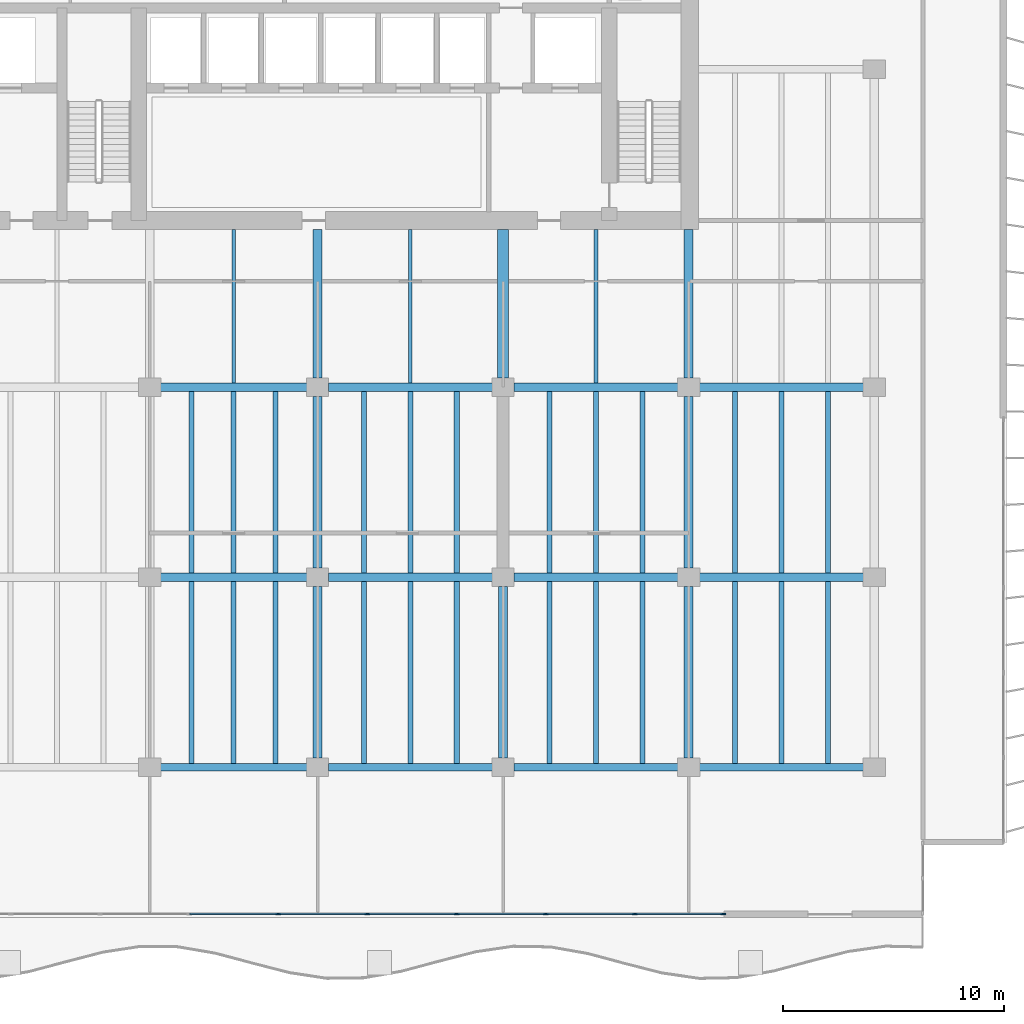
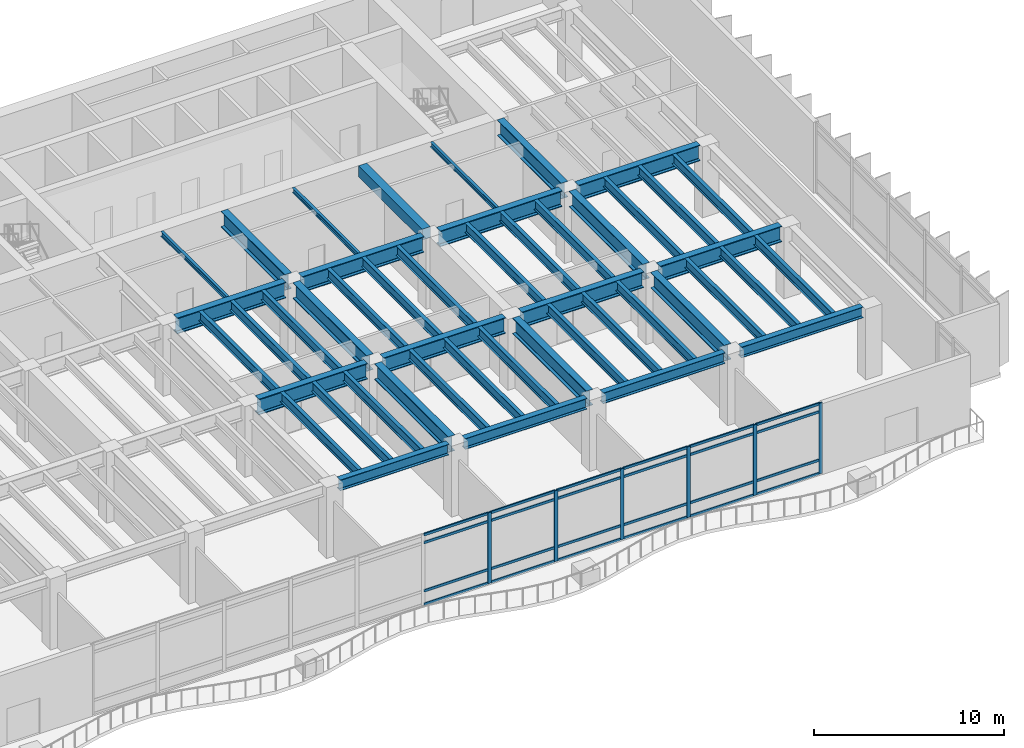
# One storey, part 4 of 16: 47 beams, 30 members, 1 element without a shape of its own.
"""IFC4 building model written with IfcOpenShell, lengths in metres."""

from ifc_helpers import new_model, si_unit, direction, frame, origin, origin_2d, place, context, subcontext, project, spatial, rectangle, i_section, extrude, material, layer, layer_set, material_profile, profile_set, type_object, element, aggregate, save


model = new_model("IFC4")

# Units and contexts
model_context = context("Model", 3, precision=1e-05, world=origin(), true_north=direction((0.0, 1.0)))
body_context = subcontext(model_context, "Body", "Model", "MODEL_VIEW")
ifc_project = project(units=[si_unit("LENGTHUNIT", "METRE"), si_unit("AREAUNIT", "SQUARE_METRE"), si_unit("VOLUMEUNIT", "CUBIC_METRE"), si_unit("PLANEANGLEUNIT", "RADIAN"), si_unit("MASSUNIT", "GRAM", prefix="KILO")], contexts=[model_context])

# Site, building, storey
site_placement = place(None, origin())
site = spatial("IfcSite", under=ifc_project, at=site_placement, CompositionType="ELEMENT")
building_placement = place(site_placement, origin())
building = spatial("IfcBuilding", under=site, at=building_placement, Name="Caelmar Bay Residences", CompositionType="ELEMENT")
storey_placement = place(building_placement, frame((0.0, 0.0, 97.800048828125)))
storey = spatial("IfcBuildingStorey", under=building, at=storey_placement, Name="L26", CompositionType="ELEMENT", Elevation=97.800048828125)

# Beams
ifc_material_1 = material(Name="Steel ASTM A992 Grade 50", Category="steel")
ifc_material_profile_1 = material_profile(ifc_material_1, i_section(OverallWidth=0.404052734375, OverallDepth=1.02099609375, WebThickness=0.025390625, FlangeThickness=0.0458984375, FilletRadius=0.02294921875, at=origin_2d()), Name="W40X324")
ifc_profile_set_1 = profile_set([ifc_material_profile_1], Name="Steel ASTM A992 Grade 50")
beam_type_1 = type_object("IfcBeamType", Name="BM-GRD-W40X324", PredefinedType="BEAM", material=ifc_profile_set_1)
beam_1_placement = place(storey_placement, frame((35.590087890625, 20.800048828125, 4.03955078125), z_axis=(1.0, 0.0, 0.0), x_axis=(0.0, 1.0, 0.0)))
element("IfcBeam", 1, at=beam_1_placement, inside=storey, type_object=beam_type_1, Name="L26 East-West Girder Y=20.80 (35.1-42.7)", PredefinedType="BEAM", context=body_context, shape_type="SweptSolid", body=[
    extrude(i_section(OverallWidth=0.404052734375, OverallDepth=1.02099609375, WebThickness=0.025390625, FlangeThickness=0.0458984375, FilletRadius=0.02294921875, at=origin_2d()), origin(), (0.0, 0.0, 1.0), 6.619873046875),
])
beam_2_placement = place(storey_placement, frame((43.18994140625, 20.800048828125, 4.03955078125), z_axis=(1.0, 0.0, 0.0), x_axis=(0.0, 1.0, 0.0)))
element("IfcBeam", 2, at=beam_2_placement, inside=storey, type_object=beam_type_1, Name="L26 East-West Girder Y=20.80 (42.7-51.1)", PredefinedType="BEAM", context=body_context, shape_type="SweptSolid", body=[
    extrude(i_section(OverallWidth=0.404052734375, OverallDepth=1.02099609375, WebThickness=0.025390625, FlangeThickness=0.0458984375, FilletRadius=0.02294921875, at=origin_2d()), origin(), (0.0, 0.0, 1.0), 7.420166015625),
])
for number, where, z_axis, x_axis, name in (
    (3, (51.590087890625, 20.800048828125, 4.03955078125), (1.0, 0.0, 0.0), (0.0, 1.0, 0.0), "L26 East-West Girder Y=20.80 (51.1-59.5)"),
    (4, (59.989990234375, 20.800048828125, 4.03955078125), (1.0, 0.0, 0.0), (0.0, 1.0, 0.0), "L26 East-West Girder Y=20.80 (59.5-67.9)"),
):
    element("IfcBeam", number, at=place(storey_placement, frame(where, z_axis=z_axis, x_axis=x_axis)), inside=storey, type_object=beam_type_1, Name=name, PredefinedType="BEAM", context=body_context, shape_type="SweptSolid", body=[
        extrude(i_section(OverallWidth=0.404052734375, OverallDepth=1.02099609375, WebThickness=0.025390625, FlangeThickness=0.0458984375, FilletRadius=0.02294921875, at=origin_2d()), origin(), (0.0, 0.0, 1.0), 7.419921875),
    ])
beam_3_placement = place(storey_placement, frame((35.590087890625, 29.39990234375, 4.03955078125), z_axis=(1.0, 0.0, 0.0), x_axis=(0.0, 1.0, 0.0)))
element("IfcBeam", 5, at=beam_3_placement, inside=storey, type_object=beam_type_1, Name="L26 East-West Girder Y=29.40 (35.1-42.7)", PredefinedType="BEAM", context=body_context, shape_type="SweptSolid", body=[
    extrude(i_section(OverallWidth=0.404052734375, OverallDepth=1.02099609375, WebThickness=0.025390625, FlangeThickness=0.0458984375, FilletRadius=0.02294921875, at=origin_2d()), origin(), (0.0, 0.0, 1.0), 6.619873046875),
])
beam_4_placement = place(storey_placement, frame((43.18994140625, 29.39990234375, 4.03955078125), z_axis=(1.0, 0.0, 0.0), x_axis=(0.0, 1.0, 0.0)))
element("IfcBeam", 6, at=beam_4_placement, inside=storey, type_object=beam_type_1, Name="L26 East-West Girder Y=29.40 (42.7-51.1)", PredefinedType="BEAM", context=body_context, shape_type="SweptSolid", body=[
    extrude(i_section(OverallWidth=0.404052734375, OverallDepth=1.02099609375, WebThickness=0.025390625, FlangeThickness=0.0458984375, FilletRadius=0.02294921875, at=origin_2d()), origin(), (0.0, 0.0, 1.0), 7.420166015625),
])
for number, where, z_axis, x_axis, name in (
    (7, (51.590087890625, 29.39990234375, 4.03955078125), (1.0, 0.0, 0.0), (0.0, 1.0, 0.0), "L26 East-West Girder Y=29.40 (51.1-59.5)"),
    (8, (59.989990234375, 29.39990234375, 4.03955078125), (1.0, 0.0, 0.0), (0.0, 1.0, 0.0), "L26 East-West Girder Y=29.40 (59.5-67.9)"),
):
    element("IfcBeam", number, at=place(storey_placement, frame(where, z_axis=z_axis, x_axis=x_axis)), inside=storey, type_object=beam_type_1, Name=name, PredefinedType="BEAM", context=body_context, shape_type="SweptSolid", body=[
        extrude(i_section(OverallWidth=0.404052734375, OverallDepth=1.02099609375, WebThickness=0.025390625, FlangeThickness=0.0458984375, FilletRadius=0.02294921875, at=origin_2d()), origin(), (0.0, 0.0, 1.0), 7.419921875),
    ])
beam_5_placement = place(storey_placement, frame((42.699951171875, 29.81494140625, 4.03955078125), z_axis=(0.0, 1.0, 0.0), x_axis=(-1.0, 0.0, 0.0)))
element("IfcBeam", 9, at=beam_5_placement, inside=storey, type_object=beam_type_1, Name="L26 Core Tie Girder X=42.70", PredefinedType="BEAM", context=body_context, shape_type="SweptSolid", body=[
    extrude(i_section(OverallWidth=0.404052734375, OverallDepth=1.02099609375, WebThickness=0.025390625, FlangeThickness=0.0458984375, FilletRadius=0.02294921875, at=origin_2d()), origin(), (0.0, 0.0, 1.0), 6.735107421875),
])
for number, where, z_axis, x_axis, name in (
    (10, (42.699951171875, 12.614990234375, 4.03955078125), (0.0, 1.0, 0.0), (-1.0, 0.0, 0.0), "L26 North-South Girder X=42.70 (12.2-20.8)"),
    (11, (42.699951171875, 21.215087890625, 4.03955078125), (0.0, 1.0, 0.0), (-1.0, 0.0, 0.0), "L26 North-South Girder X=42.70 (20.8-29.4)"),
    (12, (51.10009765625, 12.614990234375, 4.03955078125), (0.0, 1.0, 0.0), (-1.0, 0.0, 0.0), "L26 North-South Girder X=51.10 (12.2-20.8)"),
):
    element("IfcBeam", number, at=place(storey_placement, frame(where, z_axis=z_axis, x_axis=x_axis)), inside=storey, type_object=beam_type_1, Name=name, PredefinedType="BEAM", context=body_context, shape_type="SweptSolid", body=[
        extrude(i_section(OverallWidth=0.404052734375, OverallDepth=1.02099609375, WebThickness=0.025390625, FlangeThickness=0.0458984375, FilletRadius=0.02294921875, at=origin_2d()), origin(), (0.0, 0.0, 1.0), 7.77001953125),
    ])
beam_6_placement = place(storey_placement, frame((59.5, 29.81494140625, 4.03955078125), z_axis=(0.0, 1.0, 0.0), x_axis=(-1.0, 0.0, 0.0)))
element("IfcBeam", 13, at=beam_6_placement, inside=storey, type_object=beam_type_1, Name="L26 Core Tie Girder X=59.50", PredefinedType="BEAM", context=body_context, shape_type="SweptSolid", body=[
    extrude(i_section(OverallWidth=0.404052734375, OverallDepth=1.02099609375, WebThickness=0.025390625, FlangeThickness=0.0458984375, FilletRadius=0.02294921875, at=origin_2d()), origin(), (0.0, 0.0, 1.0), 6.735107421875),
])
for number, where, z_axis, x_axis, name in (
    (14, (59.5, 12.614990234375, 4.03955078125), (0.0, 1.0, 0.0), (-1.0, 0.0, 0.0), "L26 North-South Girder X=59.50 (12.2-20.8)"),
    (15, (59.5, 21.215087890625, 4.03955078125), (0.0, 1.0, 0.0), (-1.0, 0.0, 0.0), "L26 North-South Girder X=59.50 (20.8-29.4)"),
):
    element("IfcBeam", number, at=place(storey_placement, frame(where, z_axis=z_axis, x_axis=x_axis)), inside=storey, type_object=beam_type_1, Name=name, PredefinedType="BEAM", context=body_context, shape_type="SweptSolid", body=[
        extrude(i_section(OverallWidth=0.404052734375, OverallDepth=1.02099609375, WebThickness=0.025390625, FlangeThickness=0.0458984375, FilletRadius=0.02294921875, at=origin_2d()), origin(), (0.0, 0.0, 1.0), 7.77001953125),
    ])
ifc_material_profile_2 = material_profile(ifc_material_1, i_section(OverallWidth=0.1650390625, OverallDepth=0.31005859375, WebThickness=0.005859375, FlangeThickness=0.009765625, FilletRadius=0.007568359375, at=origin_2d()), Name="W12X26")
ifc_profile_set_2 = profile_set([ifc_material_profile_2], Name="Steel ASTM A992 Grade 50")
beam_type_2 = type_object("IfcBeamType", Name="BM-JST-W12X26", PredefinedType="JOIST", material=ifc_profile_set_2)
for number, where, z_axis, x_axis, name in (
    (16, (38.89990234375, 29.60205078125, 4.39501953125), (0.0, 1.0, 0.0), (-1.0, 0.0, 0.0), "L26 Core-Band Composite Joist 45"),
    (17, (46.89990234375, 29.60205078125, 4.39501953125), (0.0, 1.0, 0.0), (-1.0, 0.0, 0.0), "L26 Core-Band Composite Joist 46"),
    (18, (55.300048828125, 29.60205078125, 4.39501953125), (0.0, 1.0, 0.0), (-1.0, 0.0, 0.0), "L26 Core-Band Composite Joist 47"),
):
    element("IfcBeam", number, at=place(storey_placement, frame(where, z_axis=z_axis, x_axis=x_axis)), inside=storey, type_object=beam_type_2, Name=name, PredefinedType="JOIST", context=body_context, shape_type="SweptSolid", body=[
        extrude(i_section(OverallWidth=0.1650390625, OverallDepth=0.31005859375, WebThickness=0.005859375, FlangeThickness=0.009765625, FilletRadius=0.007568359375, at=origin_2d()), origin(), (0.0, 0.0, 1.0), 6.947998046875),
    ])
ifc_material_profile_3 = material_profile(ifc_material_1, i_section(OverallWidth=0.22900390625, OverallDepth=0.612060546875, WebThickness=0.011962890625, FlangeThickness=0.01953125, FilletRadius=0.0126953125, at=origin_2d()), Name="W24X84")
ifc_profile_set_3 = profile_set([ifc_material_profile_3], Name="Steel ASTM A992 Grade 50")
beam_type_3 = type_object("IfcBeamType", Name="BM-JST-W24X84", PredefinedType="JOIST", material=ifc_profile_set_3)
for number, where, z_axis, x_axis, name in (
    (19, (37.0, 12.3779296875, 4.243896484375), (0.0, 1.0, 0.0), (-1.0, 0.0, 0.0), "L26 Composite Floor Joist 10"),
    (20, (38.89990234375, 12.3779296875, 4.243896484375), (0.0, 1.0, 0.0), (-1.0, 0.0, 0.0), "L26 Composite Floor Joist 11"),
    (21, (40.800048828125, 12.3779296875, 4.243896484375), (0.0, 1.0, 0.0), (-1.0, 0.0, 0.0), "L26 Composite Floor Joist 12"),
    (22, (44.800048828125, 12.3779296875, 4.243896484375), (0.0, 1.0, 0.0), (-1.0, 0.0, 0.0), "L26 Composite Floor Joist 13"),
    (23, (46.89990234375, 12.3779296875, 4.243896484375), (0.0, 1.0, 0.0), (-1.0, 0.0, 0.0), "L26 Composite Floor Joist 14"),
    (24, (49.0, 12.3779296875, 4.243896484375), (0.0, 1.0, 0.0), (-1.0, 0.0, 0.0), "L26 Composite Floor Joist 15"),
    (25, (53.199951171875, 12.3779296875, 4.243896484375), (0.0, 1.0, 0.0), (-1.0, 0.0, 0.0), "L26 Composite Floor Joist 16"),
    (26, (55.300048828125, 12.3779296875, 4.243896484375), (0.0, 1.0, 0.0), (-1.0, 0.0, 0.0), "L26 Composite Floor Joist 17"),
    (27, (57.39990234375, 12.3779296875, 4.243896484375), (0.0, 1.0, 0.0), (-1.0, 0.0, 0.0), "L26 Composite Floor Joist 18"),
    (28, (61.60009765625, 12.3779296875, 4.243896484375), (0.0, 1.0, 0.0), (-1.0, 0.0, 0.0), "L26 Composite Floor Joist 19"),
    (29, (63.699951171875, 12.3779296875, 4.243896484375), (0.0, 1.0, 0.0), (-1.0, 0.0, 0.0), "L26 Composite Floor Joist 20"),
    (30, (65.800048828125, 12.3779296875, 4.243896484375), (0.0, 1.0, 0.0), (-1.0, 0.0, 0.0), "L26 Composite Floor Joist 21"),
):
    element("IfcBeam", number, at=place(storey_placement, frame(where, z_axis=z_axis, x_axis=x_axis)), inside=storey, type_object=beam_type_3, Name=name, PredefinedType="JOIST", context=body_context, shape_type="SweptSolid", body=[
        extrude(i_section(OverallWidth=0.22900390625, OverallDepth=0.612060546875, WebThickness=0.011962890625, FlangeThickness=0.01953125, FilletRadius=0.0126953125, at=origin_2d()), origin(), (0.0, 0.0, 1.0), 8.219970703125),
    ])
for number, where, z_axis, x_axis, name in (
    (31, (37.0, 21.001953125, 4.243896484375), (0.0, 1.0, 0.0), (-1.0, 0.0, 0.0), "L26 Composite Floor Joist 31"),
    (32, (38.89990234375, 21.001953125, 4.243896484375), (0.0, 1.0, 0.0), (-1.0, 0.0, 0.0), "L26 Composite Floor Joist 32"),
    (33, (40.800048828125, 21.001953125, 4.243896484375), (0.0, 1.0, 0.0), (-1.0, 0.0, 0.0), "L26 Composite Floor Joist 33"),
    (34, (44.800048828125, 21.001953125, 4.243896484375), (0.0, 1.0, 0.0), (-1.0, 0.0, 0.0), "L26 Composite Floor Joist 34"),
    (35, (46.89990234375, 21.001953125, 4.243896484375), (0.0, 1.0, 0.0), (-1.0, 0.0, 0.0), "L26 Composite Floor Joist 35"),
    (36, (49.0, 21.001953125, 4.243896484375), (0.0, 1.0, 0.0), (-1.0, 0.0, 0.0), "L26 Composite Floor Joist 36"),
    (37, (53.199951171875, 21.001953125, 4.243896484375), (0.0, 1.0, 0.0), (-1.0, 0.0, 0.0), "L26 Composite Floor Joist 37"),
    (38, (55.300048828125, 21.001953125, 4.243896484375), (0.0, 1.0, 0.0), (-1.0, 0.0, 0.0), "L26 Composite Floor Joist 38"),
    (39, (57.39990234375, 21.001953125, 4.243896484375), (0.0, 1.0, 0.0), (-1.0, 0.0, 0.0), "L26 Composite Floor Joist 39"),
    (40, (61.60009765625, 21.001953125, 4.243896484375), (0.0, 1.0, 0.0), (-1.0, 0.0, 0.0), "L26 Composite Floor Joist 40"),
    (41, (63.699951171875, 21.001953125, 4.243896484375), (0.0, 1.0, 0.0), (-1.0, 0.0, 0.0), "L26 Composite Floor Joist 41"),
    (42, (65.800048828125, 21.001953125, 4.243896484375), (0.0, 1.0, 0.0), (-1.0, 0.0, 0.0), "L26 Composite Floor Joist 42"),
):
    element("IfcBeam", number, at=place(storey_placement, frame(where, z_axis=z_axis, x_axis=x_axis)), inside=storey, type_object=beam_type_3, Name=name, PredefinedType="JOIST", context=body_context, shape_type="SweptSolid", body=[
        extrude(i_section(OverallWidth=0.22900390625, OverallDepth=0.612060546875, WebThickness=0.011962890625, FlangeThickness=0.01953125, FilletRadius=0.0126953125, at=origin_2d()), origin(), (0.0, 0.0, 1.0), 8.196044921875),
    ])
ifc_material_2 = material(Name="Concrete f'c 55 MPa (8,000 psi)", Category="concrete")
ifc_material_profile_4 = material_profile(ifc_material_2, rectangle(XDim=0.5, YDim=0.699951171875, at=origin_2d()), Name="RC-BM-500X700")
ifc_profile_set_4 = profile_set([ifc_material_profile_4], Name="Concrete f'c 55 MPa (8,000 psi)")
beam_type_4 = type_object("IfcBeamType", Name="BM-RC-500X700", PredefinedType="LINTEL", material=ifc_profile_set_4)
beam_7_placement = place(storey_placement, frame((51.10009765625, 29.81494140625, 4.199951171875), z_axis=(0.0, 1.0, 0.0), x_axis=(-1.0, 0.0, 0.0)))
element("IfcBeam", 43, at=beam_7_placement, inside=storey, type_object=beam_type_4, Name="L26 Shear-Wall Corridor Coupling Lintel E8", PredefinedType="LINTEL", context=body_context, shape_type="SweptSolid", body=[
    extrude(rectangle(XDim=0.5, YDim=0.699951171875, at=origin_2d()), origin(), (0.0, 0.0, 1.0), 6.735107421875),
])
ifc_material_profile_5 = material_profile(ifc_material_1, i_section(OverallWidth=0.35595703125, OverallDepth=0.696044921875, WebThickness=0.015380859375, FlangeThickness=0.02490234375, FilletRadius=0.01513671875, at=origin_2d()), Name="W27X146")
ifc_profile_set_5 = profile_set([ifc_material_profile_5], Name="Steel ASTM A992 Grade 50")
beam_type_5 = type_object("IfcBeamType", Name="BM-SPN-W27X146", PredefinedType="SPANDREL", material=ifc_profile_set_5)
beam_8_placement = place(storey_placement, frame((35.590087890625, 12.199951171875, 4.201904296875), z_axis=(1.0, 0.0, 0.0), x_axis=(0.0, 1.0, 0.0)))
element("IfcBeam", 44, at=beam_8_placement, inside=storey, type_object=beam_type_5, Name="L26 East-West Girder Y=12.20 (35.1-42.7)", PredefinedType="SPANDREL", context=body_context, shape_type="SweptSolid", body=[
    extrude(i_section(OverallWidth=0.35595703125, OverallDepth=0.696044921875, WebThickness=0.015380859375, FlangeThickness=0.02490234375, FilletRadius=0.01513671875, at=origin_2d()), origin(), (0.0, 0.0, 1.0), 6.619873046875),
])
beam_9_placement = place(storey_placement, frame((43.18994140625, 12.199951171875, 4.201904296875), z_axis=(1.0, 0.0, 0.0), x_axis=(0.0, 1.0, 0.0)))
element("IfcBeam", 45, at=beam_9_placement, inside=storey, type_object=beam_type_5, Name="L26 East-West Girder Y=12.20 (42.7-51.1)", PredefinedType="SPANDREL", context=body_context, shape_type="SweptSolid", body=[
    extrude(i_section(OverallWidth=0.35595703125, OverallDepth=0.696044921875, WebThickness=0.015380859375, FlangeThickness=0.02490234375, FilletRadius=0.01513671875, at=origin_2d()), origin(), (0.0, 0.0, 1.0), 7.420166015625),
])
for number, where, z_axis, x_axis, name in (
    (46, (51.590087890625, 12.199951171875, 4.201904296875), (1.0, 0.0, 0.0), (0.0, 1.0, 0.0), "L26 East-West Girder Y=12.20 (51.1-59.5)"),
    (47, (59.989990234375, 12.199951171875, 4.201904296875), (1.0, 0.0, 0.0), (0.0, 1.0, 0.0), "L26 East-West Girder Y=12.20 (59.5-67.9)"),
):
    element("IfcBeam", number, at=place(storey_placement, frame(where, z_axis=z_axis, x_axis=x_axis)), inside=storey, type_object=beam_type_5, Name=name, PredefinedType="SPANDREL", context=body_context, shape_type="SweptSolid", body=[
        extrude(i_section(OverallWidth=0.35595703125, OverallDepth=0.696044921875, WebThickness=0.015380859375, FlangeThickness=0.02490234375, FilletRadius=0.01513671875, at=origin_2d()), origin(), (0.0, 0.0, 1.0), 7.419921875),
    ])

# Curtain wall, members
ifc_material_3 = material(Name="Anodised bronze aluminium 6063-T6 and laminated glass", Category="aluminium")
ifc_layer = layer(ifc_material_3, 0.179931640625)
ifc_layer_set = layer_set([ifc_layer], Name="Anodised bronze aluminium 6063-T6 and laminated glass")
curtain_wall_type = type_object("IfcCurtainWallType", Name="CW7-CRN", PredefinedType="NOTDEFINED", material=ifc_layer_set)
curtain_wall_placement = place(storey_placement, origin())
curtain_wall = element("IfcCurtainWall", 48, at=curtain_wall_placement, inside=storey, type_object=curtain_wall_type, Name="CW7 curtain wall L26", PredefinedType="NOTDEFINED")
ifc_material_4 = material(Name="Anodised bronze aluminium 6063-T6", Category="aluminium")
ifc_material_profile_6 = material_profile(ifc_material_4, rectangle(XDim=0.080078125, YDim=0.219970703125, at=origin_2d()), Name="CWM-80X220")
ifc_profile_set_6 = profile_set([ifc_material_profile_6], Name="Anodised bronze aluminium 6063-T6")
member_type_1 = type_object("IfcMemberType", Name="CWM-220", PredefinedType="MULLION", material=ifc_profile_set_6)
member_1_placement = place(storey_placement, frame((61.06005859375, 5.550048828125, 0.0), z_axis=(0.0, 0.0, 1.0), x_axis=(0.0, -1.0, 0.0)))
member_1 = element("IfcMember", 49, at=member_1_placement, type_object=member_type_1, Name="CW7 mullion 1", PredefinedType="MULLION", context=body_context, shape_type="SweptSolid", body=[
    extrude(rectangle(XDim=0.080078125, YDim=0.219970703125, at=origin_2d()), origin(), (0.0, 0.0, 1.0), 4.550048828125),
])
member_2_placement = place(storey_placement, frame((57.063720703125, 5.550048828125, 0.0), z_axis=(0.0, 0.0, 1.0), x_axis=(0.0, -1.0, 0.0)))
member_2 = element("IfcMember", 50, at=member_2_placement, type_object=member_type_1, Name="CW7 mullion 2", PredefinedType="MULLION", context=body_context, shape_type="SweptSolid", body=[
    extrude(rectangle(XDim=0.080078125, YDim=0.219970703125, at=origin_2d()), origin(), (0.0, 0.0, 1.0), 4.550048828125),
])
member_3_placement = place(storey_placement, frame((53.02734375, 5.550048828125, 0.0), z_axis=(0.0, 0.0, 1.0), x_axis=(0.0, -1.0, 0.0)))
member_3 = element("IfcMember", 51, at=member_3_placement, type_object=member_type_1, Name="CW7 mullion 3", PredefinedType="MULLION", context=body_context, shape_type="SweptSolid", body=[
    extrude(rectangle(XDim=0.080078125, YDim=0.219970703125, at=origin_2d()), origin(), (0.0, 0.0, 1.0), 4.550048828125),
])
member_4_placement = place(storey_placement, frame((48.990966796875, 5.550048828125, 0.0), z_axis=(0.0, 0.0, 1.0), x_axis=(0.0, -1.0, 0.0)))
member_4 = element("IfcMember", 52, at=member_4_placement, type_object=member_type_1, Name="CW7 mullion 4", PredefinedType="MULLION", context=body_context, shape_type="SweptSolid", body=[
    extrude(rectangle(XDim=0.080078125, YDim=0.219970703125, at=origin_2d()), origin(), (0.0, 0.0, 1.0), 4.550048828125),
])
member_5_placement = place(storey_placement, frame((44.95458984375, 5.550048828125, 0.0), z_axis=(0.0, 0.0, 1.0), x_axis=(0.0, -1.0, 0.0)))
member_5 = element("IfcMember", 53, at=member_5_placement, type_object=member_type_1, Name="CW7 mullion 5", PredefinedType="MULLION", context=body_context, shape_type="SweptSolid", body=[
    extrude(rectangle(XDim=0.080078125, YDim=0.219970703125, at=origin_2d()), origin(), (0.0, 0.0, 1.0), 4.550048828125),
])
member_6_placement = place(storey_placement, frame((40.918212890625, 5.550048828125, 0.0), z_axis=(0.0, 0.0, 1.0), x_axis=(0.0, -1.0, 0.0)))
member_6 = element("IfcMember", 54, at=member_6_placement, type_object=member_type_1, Name="CW7 mullion 6", PredefinedType="MULLION", context=body_context, shape_type="SweptSolid", body=[
    extrude(rectangle(XDim=0.080078125, YDim=0.219970703125, at=origin_2d()), origin(), (0.0, 0.0, 1.0), 4.550048828125),
])
ifc_material_profile_7 = material_profile(ifc_material_4, rectangle(XDim=0.080078125, YDim=0.159912109375, at=origin_2d()), Name="CWT-80X160")
ifc_profile_set_7 = profile_set([ifc_material_profile_7], Name="Anodised bronze aluminium 6063-T6")
member_type_2 = type_object("IfcMemberType", Name="CWT-160", PredefinedType="NOTDEFINED", material=ifc_profile_set_7)
member_7_placement = place(storey_placement, frame((61.02001953125, 5.550048828125, 0.0400390625), z_axis=(-1.0, 0.0, 0.0), x_axis=(0.0, -1.0, 0.0)))
member_7 = element("IfcMember", 55, at=member_7_placement, type_object=member_type_2, Name="CW7 transom 1.1", ObjectType="TRANSOM", PredefinedType="USERDEFINED", context=body_context, shape_type="SweptSolid", body=[
    extrude(rectangle(XDim=0.080078125, YDim=0.159912109375, at=origin_2d()), origin(), (0.0, 0.0, 1.0), 3.91650390625),
])
member_8_placement = place(storey_placement, frame((61.02001953125, 5.550048828125, 0.89990234375), z_axis=(-1.0, 0.0, 0.0), x_axis=(0.0, -1.0, 0.0)))
member_8 = element("IfcMember", 56, at=member_8_placement, type_object=member_type_2, Name="CW7 transom 1.2", ObjectType="TRANSOM", PredefinedType="USERDEFINED", context=body_context, shape_type="SweptSolid", body=[
    extrude(rectangle(XDim=0.080078125, YDim=0.159912109375, at=origin_2d()), origin(), (0.0, 0.0, 1.0), 3.91650390625),
])
member_9_placement = place(storey_placement, frame((61.02001953125, 5.550048828125, 4.0), z_axis=(-1.0, 0.0, 0.0), x_axis=(0.0, -1.0, 0.0)))
member_9 = element("IfcMember", 57, at=member_9_placement, type_object=member_type_2, Name="CW7 transom 1.3", ObjectType="TRANSOM", PredefinedType="USERDEFINED", context=body_context, shape_type="SweptSolid", body=[
    extrude(rectangle(XDim=0.080078125, YDim=0.159912109375, at=origin_2d()), origin(), (0.0, 0.0, 1.0), 3.91650390625),
])
member_10_placement = place(storey_placement, frame((61.02001953125, 5.550048828125, 4.510009765625), z_axis=(-1.0, 0.0, 0.0), x_axis=(0.0, -1.0, 0.0)))
member_10 = element("IfcMember", 58, at=member_10_placement, type_object=member_type_2, Name="CW7 transom 1.4", ObjectType="TRANSOM", PredefinedType="USERDEFINED", context=body_context, shape_type="SweptSolid", body=[
    extrude(rectangle(XDim=0.080078125, YDim=0.159912109375, at=origin_2d()), origin(), (0.0, 0.0, 1.0), 3.91650390625),
])
member_11_placement = place(storey_placement, frame((57.023681640625, 5.550048828125, 0.0400390625), z_axis=(-1.0, 0.0, 0.0), x_axis=(0.0, -1.0, 0.0)))
member_11 = element("IfcMember", 59, at=member_11_placement, type_object=member_type_2, Name="CW7 transom 2.1", ObjectType="TRANSOM", PredefinedType="USERDEFINED", context=body_context, shape_type="SweptSolid", body=[
    extrude(rectangle(XDim=0.080078125, YDim=0.159912109375, at=origin_2d()), origin(), (0.0, 0.0, 1.0), 3.956298828125),
])
member_12_placement = place(storey_placement, frame((57.023681640625, 5.550048828125, 0.89990234375), z_axis=(-1.0, 0.0, 0.0), x_axis=(0.0, -1.0, 0.0)))
member_12 = element("IfcMember", 60, at=member_12_placement, type_object=member_type_2, Name="CW7 transom 2.2", ObjectType="TRANSOM", PredefinedType="USERDEFINED", context=body_context, shape_type="SweptSolid", body=[
    extrude(rectangle(XDim=0.080078125, YDim=0.159912109375, at=origin_2d()), origin(), (0.0, 0.0, 1.0), 3.956298828125),
])
member_13_placement = place(storey_placement, frame((57.023681640625, 5.550048828125, 4.0), z_axis=(-1.0, 0.0, 0.0), x_axis=(0.0, -1.0, 0.0)))
member_13 = element("IfcMember", 61, at=member_13_placement, type_object=member_type_2, Name="CW7 transom 2.3", ObjectType="TRANSOM", PredefinedType="USERDEFINED", context=body_context, shape_type="SweptSolid", body=[
    extrude(rectangle(XDim=0.080078125, YDim=0.159912109375, at=origin_2d()), origin(), (0.0, 0.0, 1.0), 3.956298828125),
])
member_14_placement = place(storey_placement, frame((57.023681640625, 5.550048828125, 4.510009765625), z_axis=(-1.0, 0.0, 0.0), x_axis=(0.0, -1.0, 0.0)))
member_14 = element("IfcMember", 62, at=member_14_placement, type_object=member_type_2, Name="CW7 transom 2.4", ObjectType="TRANSOM", PredefinedType="USERDEFINED", context=body_context, shape_type="SweptSolid", body=[
    extrude(rectangle(XDim=0.080078125, YDim=0.159912109375, at=origin_2d()), origin(), (0.0, 0.0, 1.0), 3.956298828125),
])
member_15_placement = place(storey_placement, frame((52.9873046875, 5.550048828125, 0.0400390625), z_axis=(-1.0, 0.0, 0.0), x_axis=(0.0, -1.0, 0.0)))
member_15 = element("IfcMember", 63, at=member_15_placement, type_object=member_type_2, Name="CW7 transom 3.1", ObjectType="TRANSOM", PredefinedType="USERDEFINED", context=body_context, shape_type="SweptSolid", body=[
    extrude(rectangle(XDim=0.080078125, YDim=0.159912109375, at=origin_2d()), origin(), (0.0, 0.0, 1.0), 3.956298828125),
])
member_16_placement = place(storey_placement, frame((52.9873046875, 5.550048828125, 0.89990234375), z_axis=(-1.0, 0.0, 0.0), x_axis=(0.0, -1.0, 0.0)))
member_16 = element("IfcMember", 64, at=member_16_placement, type_object=member_type_2, Name="CW7 transom 3.2", ObjectType="TRANSOM", PredefinedType="USERDEFINED", context=body_context, shape_type="SweptSolid", body=[
    extrude(rectangle(XDim=0.080078125, YDim=0.159912109375, at=origin_2d()), origin(), (0.0, 0.0, 1.0), 3.956298828125),
])
member_17_placement = place(storey_placement, frame((52.9873046875, 5.550048828125, 4.0), z_axis=(-1.0, 0.0, 0.0), x_axis=(0.0, -1.0, 0.0)))
member_17 = element("IfcMember", 65, at=member_17_placement, type_object=member_type_2, Name="CW7 transom 3.3", ObjectType="TRANSOM", PredefinedType="USERDEFINED", context=body_context, shape_type="SweptSolid", body=[
    extrude(rectangle(XDim=0.080078125, YDim=0.159912109375, at=origin_2d()), origin(), (0.0, 0.0, 1.0), 3.956298828125),
])
member_18_placement = place(storey_placement, frame((52.9873046875, 5.550048828125, 4.510009765625), z_axis=(-1.0, 0.0, 0.0), x_axis=(0.0, -1.0, 0.0)))
member_18 = element("IfcMember", 66, at=member_18_placement, type_object=member_type_2, Name="CW7 transom 3.4", ObjectType="TRANSOM", PredefinedType="USERDEFINED", context=body_context, shape_type="SweptSolid", body=[
    extrude(rectangle(XDim=0.080078125, YDim=0.159912109375, at=origin_2d()), origin(), (0.0, 0.0, 1.0), 3.956298828125),
])
member_19_placement = place(storey_placement, frame((48.950927734375, 5.550048828125, 0.0400390625), z_axis=(-1.0, 0.0, 0.0), x_axis=(0.0, -1.0, 0.0)))
member_19 = element("IfcMember", 67, at=member_19_placement, type_object=member_type_2, Name="CW7 transom 4.1", ObjectType="TRANSOM", PredefinedType="USERDEFINED", context=body_context, shape_type="SweptSolid", body=[
    extrude(rectangle(XDim=0.080078125, YDim=0.159912109375, at=origin_2d()), origin(), (0.0, 0.0, 1.0), 3.956298828125),
])
member_20_placement = place(storey_placement, frame((48.950927734375, 5.550048828125, 0.89990234375), z_axis=(-1.0, 0.0, 0.0), x_axis=(0.0, -1.0, 0.0)))
member_20 = element("IfcMember", 68, at=member_20_placement, type_object=member_type_2, Name="CW7 transom 4.2", ObjectType="TRANSOM", PredefinedType="USERDEFINED", context=body_context, shape_type="SweptSolid", body=[
    extrude(rectangle(XDim=0.080078125, YDim=0.159912109375, at=origin_2d()), origin(), (0.0, 0.0, 1.0), 3.956298828125),
])
member_21_placement = place(storey_placement, frame((48.950927734375, 5.550048828125, 4.0), z_axis=(-1.0, 0.0, 0.0), x_axis=(0.0, -1.0, 0.0)))
member_21 = element("IfcMember", 69, at=member_21_placement, type_object=member_type_2, Name="CW7 transom 4.3", ObjectType="TRANSOM", PredefinedType="USERDEFINED", context=body_context, shape_type="SweptSolid", body=[
    extrude(rectangle(XDim=0.080078125, YDim=0.159912109375, at=origin_2d()), origin(), (0.0, 0.0, 1.0), 3.956298828125),
])
member_22_placement = place(storey_placement, frame((48.950927734375, 5.550048828125, 4.510009765625), z_axis=(-1.0, 0.0, 0.0), x_axis=(0.0, -1.0, 0.0)))
member_22 = element("IfcMember", 70, at=member_22_placement, type_object=member_type_2, Name="CW7 transom 4.4", ObjectType="TRANSOM", PredefinedType="USERDEFINED", context=body_context, shape_type="SweptSolid", body=[
    extrude(rectangle(XDim=0.080078125, YDim=0.159912109375, at=origin_2d()), origin(), (0.0, 0.0, 1.0), 3.956298828125),
])
member_23_placement = place(storey_placement, frame((44.91455078125, 5.550048828125, 0.0400390625), z_axis=(-1.0, 0.0, 0.0), x_axis=(0.0, -1.0, 0.0)))
member_23 = element("IfcMember", 71, at=member_23_placement, type_object=member_type_2, Name="CW7 transom 5.1", ObjectType="TRANSOM", PredefinedType="USERDEFINED", context=body_context, shape_type="SweptSolid", body=[
    extrude(rectangle(XDim=0.080078125, YDim=0.159912109375, at=origin_2d()), origin(), (0.0, 0.0, 1.0), 3.956298828125),
])
member_24_placement = place(storey_placement, frame((44.91455078125, 5.550048828125, 0.89990234375), z_axis=(-1.0, 0.0, 0.0), x_axis=(0.0, -1.0, 0.0)))
member_24 = element("IfcMember", 72, at=member_24_placement, type_object=member_type_2, Name="CW7 transom 5.2", ObjectType="TRANSOM", PredefinedType="USERDEFINED", context=body_context, shape_type="SweptSolid", body=[
    extrude(rectangle(XDim=0.080078125, YDim=0.159912109375, at=origin_2d()), origin(), (0.0, 0.0, 1.0), 3.956298828125),
])
member_25_placement = place(storey_placement, frame((44.91455078125, 5.550048828125, 4.0), z_axis=(-1.0, 0.0, 0.0), x_axis=(0.0, -1.0, 0.0)))
member_25 = element("IfcMember", 73, at=member_25_placement, type_object=member_type_2, Name="CW7 transom 5.3", ObjectType="TRANSOM", PredefinedType="USERDEFINED", context=body_context, shape_type="SweptSolid", body=[
    extrude(rectangle(XDim=0.080078125, YDim=0.159912109375, at=origin_2d()), origin(), (0.0, 0.0, 1.0), 3.956298828125),
])
member_26_placement = place(storey_placement, frame((44.91455078125, 5.550048828125, 4.510009765625), z_axis=(-1.0, 0.0, 0.0), x_axis=(0.0, -1.0, 0.0)))
member_26 = element("IfcMember", 74, at=member_26_placement, type_object=member_type_2, Name="CW7 transom 5.4", ObjectType="TRANSOM", PredefinedType="USERDEFINED", context=body_context, shape_type="SweptSolid", body=[
    extrude(rectangle(XDim=0.080078125, YDim=0.159912109375, at=origin_2d()), origin(), (0.0, 0.0, 1.0), 3.956298828125),
])
member_27_placement = place(storey_placement, frame((40.878173828125, 5.550048828125, 0.0400390625), z_axis=(-1.0, 0.0, 0.0), x_axis=(0.0, -1.0, 0.0)))
member_27 = element("IfcMember", 75, at=member_27_placement, type_object=member_type_2, Name="CW7 transom 6.1", ObjectType="TRANSOM", PredefinedType="USERDEFINED", context=body_context, shape_type="SweptSolid", body=[
    extrude(rectangle(XDim=0.080078125, YDim=0.159912109375, at=origin_2d()), origin(), (0.0, 0.0, 1.0), 3.956298828125),
])
member_28_placement = place(storey_placement, frame((40.878173828125, 5.550048828125, 0.89990234375), z_axis=(-1.0, 0.0, 0.0), x_axis=(0.0, -1.0, 0.0)))
member_28 = element("IfcMember", 76, at=member_28_placement, type_object=member_type_2, Name="CW7 transom 6.2", ObjectType="TRANSOM", PredefinedType="USERDEFINED", context=body_context, shape_type="SweptSolid", body=[
    extrude(rectangle(XDim=0.080078125, YDim=0.159912109375, at=origin_2d()), origin(), (0.0, 0.0, 1.0), 3.956298828125),
])
member_29_placement = place(storey_placement, frame((40.878173828125, 5.550048828125, 4.0), z_axis=(-1.0, 0.0, 0.0), x_axis=(0.0, -1.0, 0.0)))
member_29 = element("IfcMember", 77, at=member_29_placement, type_object=member_type_2, Name="CW7 transom 6.3", ObjectType="TRANSOM", PredefinedType="USERDEFINED", context=body_context, shape_type="SweptSolid", body=[
    extrude(rectangle(XDim=0.080078125, YDim=0.159912109375, at=origin_2d()), origin(), (0.0, 0.0, 1.0), 3.956298828125),
])
member_30_placement = place(storey_placement, frame((40.878173828125, 5.550048828125, 4.510009765625), z_axis=(-1.0, 0.0, 0.0), x_axis=(0.0, -1.0, 0.0)))
member_30 = element("IfcMember", 78, at=member_30_placement, type_object=member_type_2, Name="CW7 transom 6.4", ObjectType="TRANSOM", PredefinedType="USERDEFINED", context=body_context, shape_type="SweptSolid", body=[
    extrude(rectangle(XDim=0.080078125, YDim=0.159912109375, at=origin_2d()), origin(), (0.0, 0.0, 1.0), 3.956298828125),
])
aggregate(curtain_wall, [member_1, member_2, member_3, member_4, member_5, member_6, member_7, member_8, member_9, member_10, member_11, member_12, member_13, member_14, member_15, member_16, member_17, member_18, member_19, member_20, member_21, member_22, member_23, member_24, member_25, member_26, member_27, member_28, member_29, member_30])

save(model, "model.ifc")
